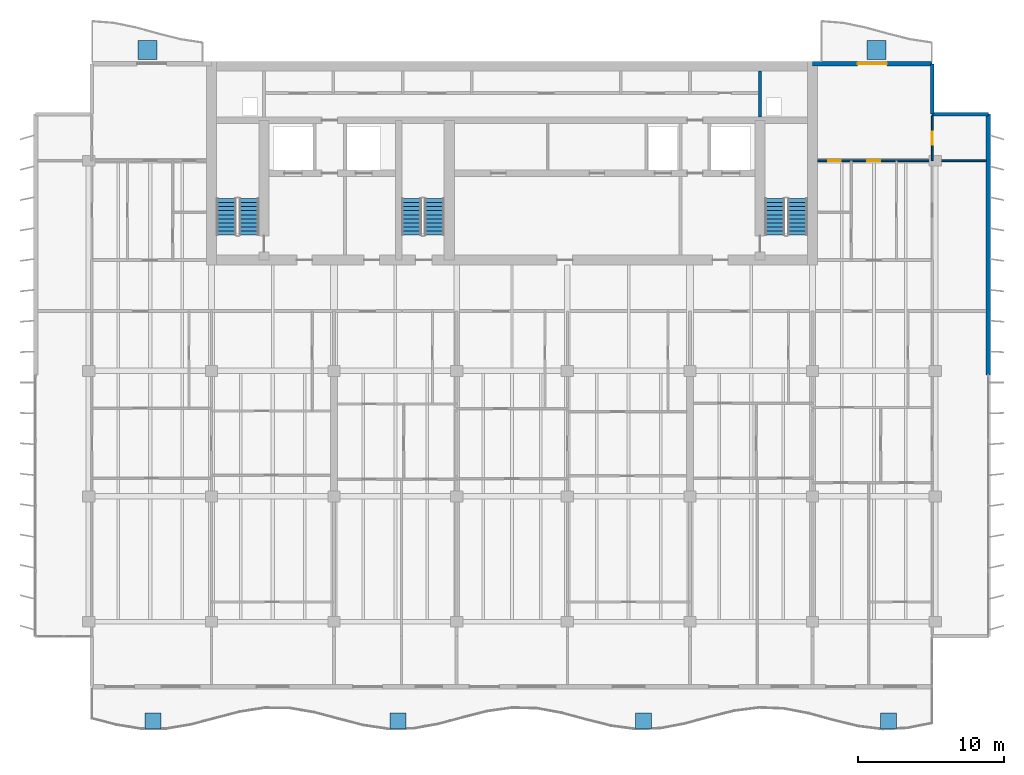
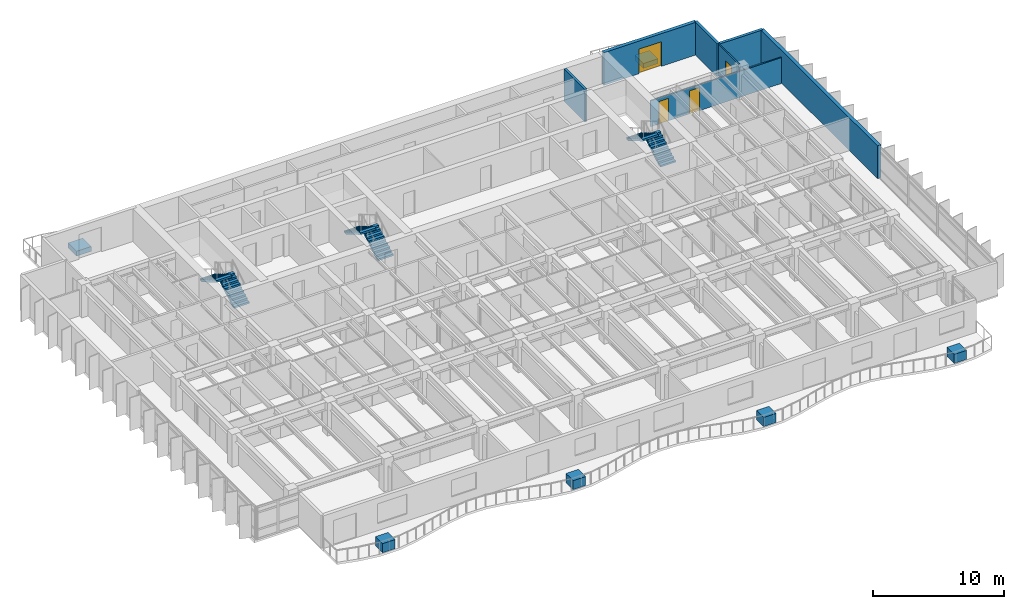
# One storey, part 15 of 19: 7 walls, 6 discrete accessories, 6 stair flights, 4 doors, 4 openings, 3 elements without a shape of their own.
"""IFC4 building model written with IfcOpenShell, lengths in metres."""

from ifc_helpers import new_model, si_unit, direction, frame, frame_2d, origin, origin_2d, place, context, subcontext, project, spatial, polyline, rectangle, outline, extrude, material, layer, layer_set, type_object, element, fill, aggregate, save


model = new_model("IFC4")

# Units and contexts
model_context = context("Model", 3, precision=1e-05, world=origin(), true_north=direction((0.0, 1.0)))
body_context = subcontext(model_context, "Body", "Model", "MODEL_VIEW")
ifc_project = project(units=[si_unit("LENGTHUNIT", "METRE"), si_unit("AREAUNIT", "SQUARE_METRE"), si_unit("VOLUMEUNIT", "CUBIC_METRE"), si_unit("PLANEANGLEUNIT", "RADIAN"), si_unit("MASSUNIT", "GRAM", prefix="KILO")], contexts=[model_context])

# Site, building, storey
site_placement = place(None, origin())
site = spatial("IfcSite", under=ifc_project, at=site_placement, CompositionType="ELEMENT")
building_placement = place(site_placement, origin())
building = spatial("IfcBuilding", under=site, at=building_placement, Name="Caelmar Bay Residences", CompositionType="ELEMENT")
storey_placement = place(building_placement, frame((0.0, 0.0, 191.699951171875)))
storey = spatial("IfcBuildingStorey", under=building, at=storey_placement, Name="L53", CompositionType="ELEMENT", Elevation=191.699951171875)

# Walls
ifc_material_1 = material(Name="Precast concrete f'c 40 MPa (6,000 psi)", Category="concrete")
ifc_layer_1 = layer(ifc_material_1, 0.25)
ifc_layer_set_1 = layer_set([ifc_layer_1], Name="Precast concrete f'c 40 MPa (6,000 psi)")
wall_type_1 = type_object("IfcWallType", Name="W-EXT-250", PredefinedType="ELEMENTEDWALL", material=ifc_layer_set_1)
wall_1_placement = place(storey_placement, frame((67.699951171875, 50.449951171875, 0.0), z_axis=(0.0, 0.0, 1.0), x_axis=(0.0, -1.0, 0.0)))
element("IfcWall", 1, at=wall_1_placement, inside=storey, type_object=wall_type_1, Name="L53 NNE-V Notch Wall", PredefinedType="ELEMENTEDWALL", context=body_context, shape_type="SweptSolid", body=[
    extrude(rectangle(XDim=3.449951171875, YDim=0.25, at=frame_2d((1.72509765625, 0.0))), origin(), (0.0, 0.0, 1.0), 3.050048828125),
])
wall_2_placement = place(storey_placement, frame((67.699951171875, 47.0, 0.0), z_axis=(0.0, 0.0, 1.0), x_axis=(1.0, 0.0, 0.0)))
element("IfcWall", 2, at=wall_2_placement, inside=storey, type_object=wall_type_1, Name="L53 NNE-H Notch Wall", PredefinedType="ELEMENTEDWALL", context=body_context, shape_type="SweptSolid", body=[
    extrude(rectangle(XDim=3.85009765625, YDim=0.25, at=frame_2d((1.925048828125, 0.0))), origin(), (0.0, 0.0, 1.0), 3.050048828125),
])
ifc_layer_2 = layer(ifc_material_1, 0.300048828125)
ifc_layer_set_2 = layer_set([ifc_layer_2], Name="Precast concrete f'c 40 MPa (6,000 psi)")
wall_type_2 = type_object("IfcWallType", Name="W-EXT-300", PredefinedType="STANDARD", material=ifc_layer_set_2)
wall_3_placement = place(storey_placement, frame((71.550048828125, 47.0, 0.0), z_axis=(0.0, 0.0, 1.0), x_axis=(0.0, -1.0, 0.0)))
element("IfcWall", 3, at=wall_3_placement, inside=storey, type_object=wall_type_2, Name="L53 East Rear Exterior Wall", PredefinedType="STANDARD", context=body_context, shape_type="SweptSolid", body=[
    extrude(rectangle(XDim=17.89990234375, YDim=0.300048828125, at=frame_2d((8.949951171875, 0.0))), origin(), (0.0, 0.0, 1.0), 3.050048828125),
])

# Wall, opening, door
wall_4_placement = place(storey_placement, frame((59.5, 50.449951171875, 0.0), z_axis=(0.0, 0.0, 1.0), x_axis=(1.0, 0.0, 0.0)))
wall_4 = element("IfcWall", 4, at=wall_4_placement, inside=storey, type_object=wall_type_2, Name="L53 North-East Wing Exterior Wall", PredefinedType="STANDARD", context=body_context, shape_type="SweptSolid", body=[
    extrude(rectangle(XDim=8.199951171875, YDim=0.300048828125, at=frame_2d((4.10009765625, 0.0))), origin(), (0.0, 0.0, 1.0), 3.050048828125),
])
opening_1_placement = place(wall_4_placement, frame((3.10009765625, 0.0, 0.0)))
opening_1 = element("IfcOpeningElement", 5, at=opening_1_placement, cuts=wall_4, Name="Opening L53-BDNE", PredefinedType="OPENING", context=body_context, shape_type="SweptSolid", body=[
    extrude(rectangle(XDim=2.0, YDim=2.300048828125, at=frame_2d((1.0, 1.14990234375))), frame((0.0, 0.159912109375, 0.0), z_axis=(0.0, -1.0, 0.0), x_axis=(1.0, 0.0, 0.0)), (0.0, 0.0, 1.0), 0.320068359375),
])
ifc_material_2 = material(Name="Anodised bronze thermally broken sliding glass door", Category="glass")
ifc_layer_3 = layer(ifc_material_2, 0.050048828125)
ifc_layer_set_3 = layer_set([ifc_layer_3], Name="Anodised bronze thermally broken sliding glass door")
door_type_1 = type_object("IfcDoorType", Name="D-BAL-2000", OperationType="DOUBLE_DOOR_SLIDING", PredefinedType="DOOR", material=ifc_layer_set_3)
door_1_placement = place(opening_1_placement, origin())
door_1 = element("IfcDoor", 6, at=door_1_placement, inside=storey, type_object=door_type_1, Name="L53 North-East Balcony Door", OperationType="DOUBLE_DOOR_SLIDING", OverallHeight=2.300048828125, OverallWidth=2.0, PredefinedType="DOOR", context=body_context, shape_type="SweptSolid", body=[
    extrude(rectangle(XDim=2.0, YDim=2.300048828125, at=frame_2d((1.0, 1.14990234375))), frame((0.0, 0.02490234375, 0.0), z_axis=(0.0, -1.0, 0.0), x_axis=(1.0, 0.0, 0.0)), (0.0, 0.0, 1.0), 0.050048828125),
])
fill(opening_1, door_1)

# Wall
ifc_material_3 = material(Name="Fire-rated masonry and gypsum shaftliner assembly 200 mm", Category="masonry")
ifc_layer_4 = layer(ifc_material_3, 0.199951171875)
ifc_layer_set_4 = layer_set([ifc_layer_4], Name="Fire-rated masonry and gypsum shaftliner assembly 200 mm")
wall_type_3 = type_object("IfcWallType", Name="W-FSAE-200", PredefinedType="PARTITIONING", material=ifc_layer_set_4)
wall_5_placement = place(storey_placement, frame((55.89990234375, 46.794921875, 0.0), z_axis=(0.0, 0.0, 1.0), x_axis=(0.0, 1.0, 0.0)))
element("IfcWall", 7, at=wall_5_placement, inside=storey, type_object=wall_type_3, Name="L53 Partition Wall V076", PredefinedType="PARTITIONING", context=body_context, shape_type="SweptSolid", body=[
    extrude(rectangle(XDim=3.16015625, YDim=0.199951171875, at=frame_2d((1.580078125, 0.0))), origin(), (0.0, 0.0, 1.0), 3.050048828125),
])

# Wall, opening, door
ifc_material_4 = material(Name="Acoustic metal-stud gypsum partition 120 mm")
ifc_layer_5 = layer(ifc_material_4, 0.1201171875)
ifc_layer_set_5 = layer_set([ifc_layer_5], Name="Acoustic metal-stud gypsum partition 120 mm")
wall_type_4 = type_object("IfcWallType", Name="W-PRT-120", PredefinedType="PARTITIONING", material=ifc_layer_set_5)
wall_6_placement = place(storey_placement, frame((67.699951171875, 43.804931640625, 0.0), z_axis=(0.0, 0.0, 1.0), x_axis=(0.0, 1.0, 0.0)))
wall_6 = element("IfcWall", 8, at=wall_6_placement, inside=storey, type_object=wall_type_4, Name="L53 Partition Wall V103", PredefinedType="PARTITIONING", context=body_context, shape_type="SweptSolid", body=[
    extrude(rectangle(XDim=3.074951171875, YDim=0.1201171875, at=frame_2d((1.53759765625, 0.0))), origin(), (0.0, 0.0, 1.0), 3.050048828125),
])
opening_2_placement = place(wall_6_placement, frame((1.08740234375, 0.0, 0.0)))
opening_2 = element("IfcOpeningElement", 9, at=opening_2_placement, cuts=wall_6, Name="Opening D-L53-176", PredefinedType="OPENING", context=body_context, shape_type="SweptSolid", body=[
    extrude(rectangle(XDim=0.89990234375, YDim=2.14990234375, at=frame_2d((0.449951171875, 1.074951171875))), frame((0.0, 0.070068359375, 0.0), z_axis=(0.0, -1.0, 0.0), x_axis=(1.0, 0.0, 0.0)), (0.0, 0.0, 1.0), 0.14013671875),
])
ifc_material_5 = material(Name="Solid walnut timber interior door leaf and frame", Category="wood")
ifc_layer_6 = layer(ifc_material_5, 0.050048828125)
ifc_layer_set_6 = layer_set([ifc_layer_6], Name="Solid walnut timber interior door leaf and frame")
door_type_2 = type_object("IfcDoorType", Name="D-ROOM-900", OperationType="NOTDEFINED", PredefinedType="DOOR", material=ifc_layer_set_6)
door_2_placement = place(opening_2_placement, origin())
door_2 = element("IfcDoor", 10, at=door_2_placement, inside=storey, type_object=door_type_2, Name="L53 Residence EA North Sitting Alcove Door", OperationType="SINGLE_SWING_RIGHT", OverallHeight=2.14990234375, OverallWidth=0.89990234375, PredefinedType="DOOR", context=body_context, shape_type="SweptSolid", body=[
    extrude(rectangle(XDim=0.89990234375, YDim=2.14990234375, at=frame_2d((0.449951171875, 1.074951171875))), frame((0.0, 0.02490234375, 0.0), z_axis=(0.0, -1.0, 0.0), x_axis=(1.0, 0.0, 0.0)), (0.0, 0.0, 1.0), 0.050048828125),
])
fill(opening_2, door_2)

# Wall, openings, doors
wall_7_placement = place(storey_placement, frame((59.844970703125, 43.800048828125, 0.0), z_axis=(0.0, 0.0, 1.0), x_axis=(1.0, 0.0, 0.0)))
wall_7 = element("IfcWall", 11, at=wall_7_placement, inside=storey, type_object=wall_type_4, Name="L53 Partition Wall H133", PredefinedType="PARTITIONING", context=body_context, shape_type="SweptSolid", body=[
    extrude(rectangle(XDim=11.56005859375, YDim=0.1201171875, at=frame_2d((5.780029296875, 0.0))), origin(), (0.0, 0.0, 1.0), 2.41796875),
])
opening_3_placement = place(wall_7_placement, frame((3.408935546875, 0.0, 0.0)))
opening_3 = element("IfcOpeningElement", 12, at=opening_3_placement, cuts=wall_7, Name="Opening D-L53-172", PredefinedType="OPENING", context=body_context, shape_type="SweptSolid", body=[
    extrude(rectangle(XDim=0.89990234375, YDim=2.14990234375, at=frame_2d((0.449951171875, 1.074951171875))), frame((0.0, 0.070068359375, 0.0), z_axis=(0.0, -1.0, 0.0), x_axis=(1.0, 0.0, 0.0)), (0.0, 0.0, 1.0), 0.14013671875),
])
opening_4_placement = place(wall_7_placement, frame((0.7275390625, 0.0, 0.0)))
opening_4 = element("IfcOpeningElement", 13, at=opening_4_placement, cuts=wall_7, Name="Opening D-L53-174", PredefinedType="OPENING", context=body_context, shape_type="SweptSolid", body=[
    extrude(rectangle(XDim=0.85009765625, YDim=2.10009765625, at=frame_2d((0.425048828125, 1.050048828125))), frame((0.0, 0.070068359375, 0.0), z_axis=(0.0, -1.0, 0.0), x_axis=(1.0, 0.0, 0.0)), (0.0, 0.0, 1.0), 0.14013671875),
])
ifc_layer_7 = layer(ifc_material_5, 0.050048828125)
ifc_layer_set_7 = layer_set([ifc_layer_7], Name="Solid walnut timber interior door leaf and frame")
door_type_3 = type_object("IfcDoorType", Name="D-BATH-850", OperationType="NOTDEFINED", PredefinedType="DOOR", material=ifc_layer_set_7)
door_3_placement = place(opening_4_placement, origin())
door_3 = element("IfcDoor", 14, at=door_3_placement, inside=storey, type_object=door_type_3, Name="L53 Residence EA Bathroom Door", OperationType="SINGLE_SWING_RIGHT", OverallHeight=2.10009765625, OverallWidth=0.85009765625, PredefinedType="DOOR", context=body_context, shape_type="SweptSolid", body=[
    extrude(rectangle(XDim=0.85009765625, YDim=2.10009765625, at=frame_2d((0.425048828125, 1.050048828125))), frame((0.0, 0.02490234375, 0.0), z_axis=(0.0, -1.0, 0.0), x_axis=(1.0, 0.0, 0.0)), (0.0, 0.0, 1.0), 0.050048828125),
])
fill(opening_4, door_3)
door_4_placement = place(opening_3_placement, origin())
door_4 = element("IfcDoor", 15, at=door_4_placement, inside=storey, type_object=door_type_2, Name="L53 Residence EA Studio Living and Sleeping Room Door", OperationType="SINGLE_SWING_RIGHT", OverallHeight=2.14990234375, OverallWidth=0.89990234375, PredefinedType="DOOR", context=body_context, shape_type="SweptSolid", body=[
    extrude(rectangle(XDim=0.89990234375, YDim=2.14990234375, at=frame_2d((0.449951171875, 1.074951171875))), frame((0.0, 0.02490234375, 0.0), z_axis=(0.0, -1.0, 0.0), x_axis=(1.0, 0.0, 0.0)), (0.0, 0.0, 1.0), 0.050048828125),
])
fill(opening_3, door_4)

# Stair, stair flights
ifc_material_6 = material(Name="Concrete f'c 40 MPa (6,000 psi)", Category="concrete")
stair_type = type_object("IfcStairType", Name="ST-TYP-165", PredefinedType="HALF_TURN_STAIR", material=ifc_material_6)
stair_1_placement = place(storey_placement, origin())
stair_1 = element("IfcStair", 16, at=stair_1_placement, inside=storey, type_object=stair_type, Name="L53 West Smokeproof Exit Stair ST1", PredefinedType="HALF_TURN_STAIR")
stair_flight_type = type_object("IfcStairFlightType", Name="STF-1350", PredefinedType="STRAIGHT", material=ifc_material_6)
stair_flight_1_placement = place(storey_placement, frame((20.875, 38.699951171875, 0.0), z_axis=(0.0, 0.0, 1.0), x_axis=(0.0, 1.0, 0.0)))
stair_flight_1 = element("IfcStairFlight", 17, at=stair_flight_1_placement, type_object=stair_flight_type, Name="ST1 flight 1", NumberOfRisers=10, NumberOfTreads=9, PredefinedType="STRAIGHT", RiserHeight=0.165, TreadLength=0.28, context=body_context, shape_type="SweptSolid", body=[
    extrude(outline(polyline([(0.0, 0.0), (0.0, 0.1650390625), (0.280029296875, 0.1650390625), (0.280029296875, 0.330078125), (0.56005859375, 0.330078125), (0.56005859375, 0.4951171875), (0.840087890625, 0.4951171875), (0.840087890625, 0.659912109375), (1.1201171875, 0.659912109375), (1.1201171875, 0.824951171875), (1.39990234375, 0.824951171875), (1.39990234375, 0.989990234375), (1.679931640625, 0.989990234375), (1.679931640625, 1.155029296875), (1.9599609375, 1.155029296875), (1.9599609375, 1.320068359375), (2.239990234375, 1.320068359375), (2.239990234375, 1.485107421875), (2.52001953125, 1.485107421875), (2.52001953125, 1.64990234375), (2.52001953125, 1.31103515625), (0.295166015625, 0.0), (0.0, 0.0)])), frame((0.0, 0.675048828125, 0.0), z_axis=(0.0, -1.0, 0.0), x_axis=(1.0, 0.0, 0.0)), (0.0, 0.0, 1.0), 1.35009765625),
])
stair_flight_2_placement = place(storey_placement, frame((19.324951171875, 41.219970703125, 1.650146484375), z_axis=(0.0, 0.0, 1.0), x_axis=(0.0, -1.0, 0.0)))
stair_flight_2 = element("IfcStairFlight", 18, at=stair_flight_2_placement, type_object=stair_flight_type, Name="ST1 flight 2", NumberOfRisers=10, NumberOfTreads=9, PredefinedType="STRAIGHT", RiserHeight=0.165, TreadLength=0.28, context=body_context, shape_type="SweptSolid", body=[
    extrude(outline(polyline([(0.0, 0.0), (0.0, 0.1650390625), (0.280029296875, 0.1650390625), (0.280029296875, 0.330078125), (0.56005859375, 0.330078125), (0.56005859375, 0.4951171875), (0.840087890625, 0.4951171875), (0.840087890625, 0.659912109375), (1.1201171875, 0.659912109375), (1.1201171875, 0.824951171875), (1.39990234375, 0.824951171875), (1.39990234375, 0.989990234375), (1.679931640625, 0.989990234375), (1.679931640625, 1.155029296875), (1.9599609375, 1.155029296875), (1.9599609375, 1.320068359375), (2.239990234375, 1.320068359375), (2.239990234375, 1.485107421875), (2.52001953125, 1.485107421875), (2.52001953125, 1.64990234375), (2.52001953125, 1.31103515625), (0.295166015625, 0.0), (0.0, 0.0)])), frame((0.0, 0.675048828125, 0.0), z_axis=(0.0, -1.0, 0.0), x_axis=(1.0, 0.0, 0.0)), (0.0, 0.0, 1.0), 1.35009765625),
])
aggregate(stair_1, [stair_flight_1, stair_flight_2])

stair_2_placement = place(storey_placement, origin())
stair_2 = element("IfcStair", 19, at=stair_2_placement, inside=storey, type_object=stair_type, Name="L53 East Smokeproof Exit Stair ST2", PredefinedType="HALF_TURN_STAIR")
stair_flight_3_placement = place(storey_placement, frame((58.47509765625, 38.699951171875, 0.0), z_axis=(0.0, 0.0, 1.0), x_axis=(0.0, 1.0, 0.0)))
stair_flight_3 = element("IfcStairFlight", 20, at=stair_flight_3_placement, type_object=stair_flight_type, Name="ST2 flight 1", NumberOfRisers=10, NumberOfTreads=9, PredefinedType="STRAIGHT", RiserHeight=0.165, TreadLength=0.28, context=body_context, shape_type="SweptSolid", body=[
    extrude(outline(polyline([(0.0, 0.0), (0.0, 0.1650390625), (0.280029296875, 0.1650390625), (0.280029296875, 0.330078125), (0.56005859375, 0.330078125), (0.56005859375, 0.4951171875), (0.840087890625, 0.4951171875), (0.840087890625, 0.659912109375), (1.1201171875, 0.659912109375), (1.1201171875, 0.824951171875), (1.39990234375, 0.824951171875), (1.39990234375, 0.989990234375), (1.679931640625, 0.989990234375), (1.679931640625, 1.155029296875), (1.9599609375, 1.155029296875), (1.9599609375, 1.320068359375), (2.239990234375, 1.320068359375), (2.239990234375, 1.485107421875), (2.52001953125, 1.485107421875), (2.52001953125, 1.64990234375), (2.52001953125, 1.31103515625), (0.295166015625, 0.0), (0.0, 0.0)])), frame((0.0, 0.675048828125, 0.0), z_axis=(0.0, -1.0, 0.0), x_axis=(1.0, 0.0, 0.0)), (0.0, 0.0, 1.0), 1.35009765625),
])
stair_flight_4_placement = place(storey_placement, frame((56.925048828125, 41.219970703125, 1.650146484375), z_axis=(0.0, 0.0, 1.0), x_axis=(0.0, -1.0, 0.0)))
stair_flight_4 = element("IfcStairFlight", 21, at=stair_flight_4_placement, type_object=stair_flight_type, Name="ST2 flight 2", NumberOfRisers=10, NumberOfTreads=9, PredefinedType="STRAIGHT", RiserHeight=0.165, TreadLength=0.28, context=body_context, shape_type="SweptSolid", body=[
    extrude(outline(polyline([(0.0, 0.0), (0.0, 0.1650390625), (0.280029296875, 0.1650390625), (0.280029296875, 0.330078125), (0.56005859375, 0.330078125), (0.56005859375, 0.4951171875), (0.840087890625, 0.4951171875), (0.840087890625, 0.659912109375), (1.1201171875, 0.659912109375), (1.1201171875, 0.824951171875), (1.39990234375, 0.824951171875), (1.39990234375, 0.989990234375), (1.679931640625, 0.989990234375), (1.679931640625, 1.155029296875), (1.9599609375, 1.155029296875), (1.9599609375, 1.320068359375), (2.239990234375, 1.320068359375), (2.239990234375, 1.485107421875), (2.52001953125, 1.485107421875), (2.52001953125, 1.64990234375), (2.52001953125, 1.31103515625), (0.295166015625, 0.0), (0.0, 0.0)])), frame((0.0, 0.675048828125, 0.0), z_axis=(0.0, -1.0, 0.0), x_axis=(1.0, 0.0, 0.0)), (0.0, 0.0, 1.0), 1.35009765625),
])
aggregate(stair_2, [stair_flight_3, stair_flight_4])

stair_3_placement = place(storey_placement, origin())
stair_3 = element("IfcStair", 22, at=stair_3_placement, inside=storey, type_object=stair_type, Name="L53 Central Smokeproof Exit Stair ST3", PredefinedType="HALF_TURN_STAIR")
stair_flight_5_placement = place(storey_placement, frame((33.574951171875, 38.699951171875, 0.0), z_axis=(0.0, 0.0, 1.0), x_axis=(0.0, 1.0, 0.0)))
stair_flight_5 = element("IfcStairFlight", 23, at=stair_flight_5_placement, type_object=stair_flight_type, Name="ST3 flight 1", NumberOfRisers=10, NumberOfTreads=9, PredefinedType="STRAIGHT", RiserHeight=0.165, TreadLength=0.28, context=body_context, shape_type="SweptSolid", body=[
    extrude(outline(polyline([(0.0, 0.0), (0.0, 0.1650390625), (0.280029296875, 0.1650390625), (0.280029296875, 0.330078125), (0.56005859375, 0.330078125), (0.56005859375, 0.4951171875), (0.840087890625, 0.4951171875), (0.840087890625, 0.659912109375), (1.1201171875, 0.659912109375), (1.1201171875, 0.824951171875), (1.39990234375, 0.824951171875), (1.39990234375, 0.989990234375), (1.679931640625, 0.989990234375), (1.679931640625, 1.155029296875), (1.9599609375, 1.155029296875), (1.9599609375, 1.320068359375), (2.239990234375, 1.320068359375), (2.239990234375, 1.485107421875), (2.52001953125, 1.485107421875), (2.52001953125, 1.64990234375), (2.52001953125, 1.31103515625), (0.295166015625, 0.0), (0.0, 0.0)])), frame((0.0, 0.675048828125, 0.0), z_axis=(0.0, -1.0, 0.0), x_axis=(1.0, 0.0, 0.0)), (0.0, 0.0, 1.0), 1.35009765625),
])
stair_flight_6_placement = place(storey_placement, frame((32.02490234375, 41.219970703125, 1.650146484375), z_axis=(0.0, 0.0, 1.0), x_axis=(0.0, -1.0, 0.0)))
stair_flight_6 = element("IfcStairFlight", 24, at=stair_flight_6_placement, type_object=stair_flight_type, Name="ST3 flight 2", NumberOfRisers=10, NumberOfTreads=9, PredefinedType="STRAIGHT", RiserHeight=0.165, TreadLength=0.28, context=body_context, shape_type="SweptSolid", body=[
    extrude(outline(polyline([(0.0, 0.0), (0.0, 0.1650390625), (0.280029296875, 0.1650390625), (0.280029296875, 0.330078125), (0.56005859375, 0.330078125), (0.56005859375, 0.4951171875), (0.840087890625, 0.4951171875), (0.840087890625, 0.659912109375), (1.1201171875, 0.659912109375), (1.1201171875, 0.824951171875), (1.39990234375, 0.824951171875), (1.39990234375, 0.989990234375), (1.679931640625, 0.989990234375), (1.679931640625, 1.155029296875), (1.9599609375, 1.155029296875), (1.9599609375, 1.320068359375), (2.239990234375, 1.320068359375), (2.239990234375, 1.485107421875), (2.52001953125, 1.485107421875), (2.52001953125, 1.64990234375), (2.52001953125, 1.31103515625), (0.295166015625, 0.0), (0.0, 0.0)])), frame((0.0, 0.675048828125, 0.0), z_axis=(0.0, -1.0, 0.0), x_axis=(1.0, 0.0, 0.0)), (0.0, 0.0, 1.0), 1.35009765625),
])
aggregate(stair_3, [stair_flight_5, stair_flight_6])

# Discrete accessories
ifc_material_7 = material(Name="Architectural bronze GRC planter trough with volcanic-lapilli substrate")
discrete_accessory_type_1 = type_object("IfcDiscreteAccessoryType", Name="ACC-PLANTER-1100", PredefinedType="USERDEFINED", material=ifc_material_7)
for number, where, z_axis, x_axis, name in (
    (25, (14.300048828125, 5.39990234375, 0.0), (0.0, 0.0, 1.0), (1.0, 0.0, 0.0), "L53 Balcony Structural Tree Planter 1"),
    (26, (31.10009765625, 5.39990234375, 0.0), (0.0, 0.0, 1.0), (1.0, 0.0, 0.0), "L53 Balcony Structural Tree Planter 2"),
    (27, (47.89990234375, 5.39990234375, 0.0), (0.0, 0.0, 1.0), (1.0, 0.0, 0.0), "L53 Balcony Structural Tree Planter 3"),
    (28, (64.699951171875, 5.39990234375, 0.0), (0.0, 0.0, 1.0), (1.0, 0.0, 0.0), "L53 Balcony Structural Tree Planter 4"),
):
    element("IfcDiscreteAccessory", number, at=place(storey_placement, frame(where, z_axis=z_axis, x_axis=x_axis)), inside=storey, type_object=discrete_accessory_type_1, Name=name, ObjectType="PLANTER", PredefinedType="USERDEFINED", context=body_context, shape_type="SweptSolid", body=[
        extrude(rectangle(XDim=1.10009765625, YDim=1.10009765625, at=origin_2d()), origin(), (0.0, 0.0, 1.0), 0.85009765625),
    ])
discrete_accessory_type_2 = type_object("IfcDiscreteAccessoryType", Name="STR-PLANTER-KERB-450", PredefinedType="USERDEFINED", material=ifc_material_1)
for number, where, z_axis, x_axis, name in (
    (29, (13.89990234375, 51.39990234375, 0.0), (0.0, 0.0, 1.0), (1.0, 0.0, 0.0), "L53 north_west Structural Tree Planter Kerb"),
    (30, (63.89990234375, 51.39990234375, 0.0), (0.0, 0.0, 1.0), (1.0, 0.0, 0.0), "L53 north_east Structural Tree Planter Kerb"),
):
    element("IfcDiscreteAccessory", number, at=place(storey_placement, frame(where, z_axis=z_axis, x_axis=x_axis)), inside=storey, type_object=discrete_accessory_type_2, Name=name, ObjectType="PLANTER", PredefinedType="USERDEFINED", context=body_context, shape_type="SweptSolid", body=[
        extrude(rectangle(XDim=1.300048828125, YDim=1.300048828125, at=origin_2d()), origin(), (0.0, 0.0, 1.0), 0.449951171875),
    ])

save(model, "model.ifc")
